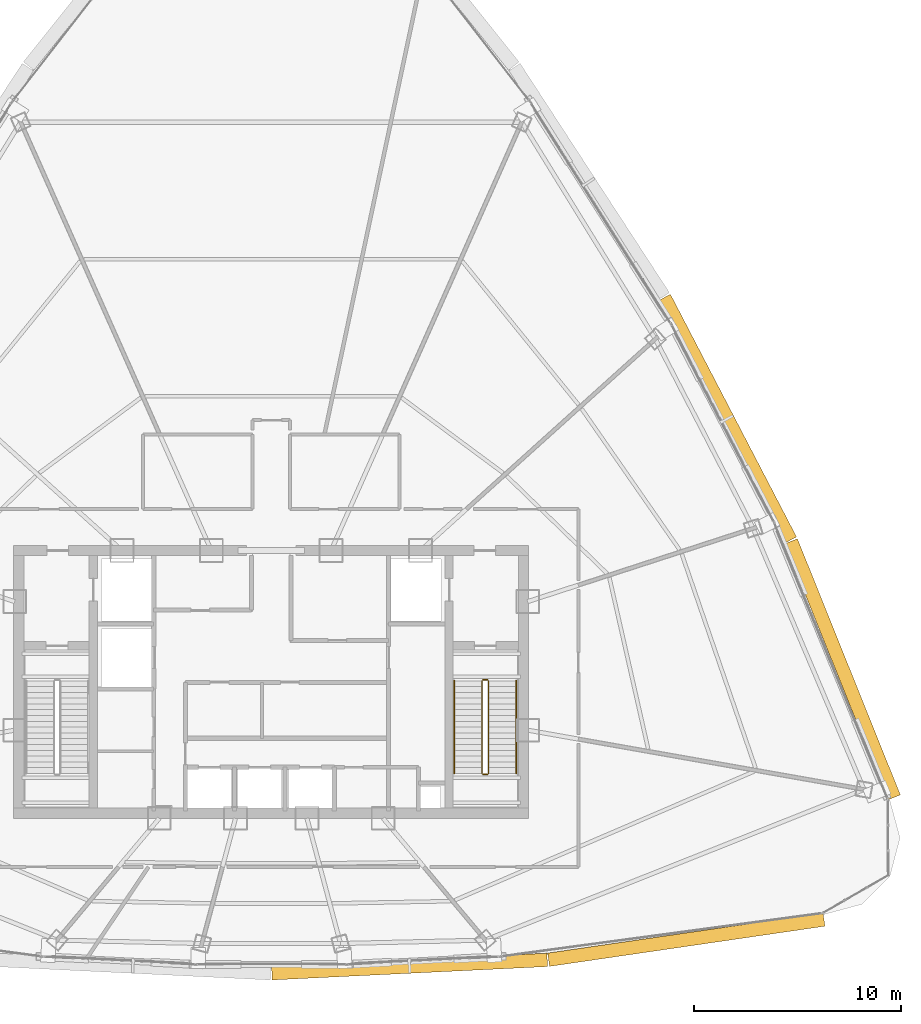
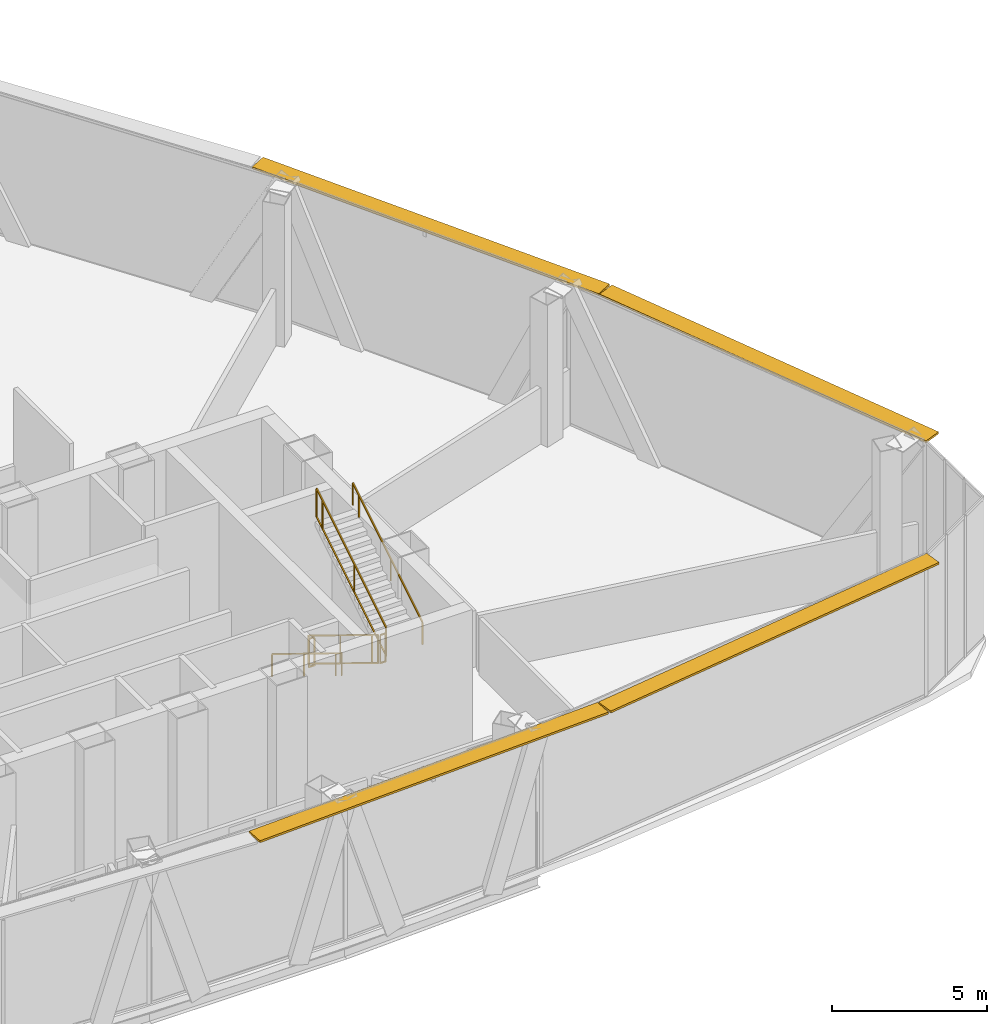
# One storey, part 32 of 33: 6 railings, 4 shading devices.
"""IFC4 building model written with IfcOpenShell, lengths in metres."""

from ifc_helpers import new_model, si_unit, direction, frame, origin, origin_2d, place, context, subcontext, project, spatial, rectangle, extrude, source, transform, mapped, material, layer, layer_set, type_object, element, save


model = new_model("IFC4")

# Units and contexts
model_context = context("Model", 3, precision=1e-05, world=origin(), true_north=direction((0.0, 1.0)))
body_context = subcontext(model_context, "Body", "Model", "MODEL_VIEW")
ifc_project = project(units=[si_unit("LENGTHUNIT", "METRE"), si_unit("AREAUNIT", "SQUARE_METRE"), si_unit("VOLUMEUNIT", "CUBIC_METRE"), si_unit("PLANEANGLEUNIT", "RADIAN"), si_unit("MASSUNIT", "GRAM", prefix="KILO"), si_unit("THERMODYNAMICTEMPERATUREUNIT", "KELVIN"), si_unit("POWERUNIT", "WATT")], contexts=[model_context])

# Site, building, storey
site_placement = place(None, origin())
site = spatial("IfcSite", under=ifc_project, at=site_placement, CompositionType="ELEMENT")
building_placement = place(site_placement, origin())
building = spatial("IfcBuilding", under=site, at=building_placement, Name="Yunzhuo Pagoda Commons", CompositionType="ELEMENT")
storey_placement = place(building_placement, frame((0.0, 0.0, 314.860107421875)))
storey = spatial("IfcBuildingStorey", under=building, at=storey_placement, Name="L79", CompositionType="ELEMENT", Elevation=314.860107421875)

# Railings
ifc_material = material(Name="Anodized aluminium 6063-T6", Category="aluminium")
railing_type_1 = type_object("IfcRailingType", Name="GR-ST2 Stair Well Guardrail 1160", PredefinedType="GUARDRAIL", material=ifc_material)
railing_1_placement = place(storey_placement, frame((58.199951171875, 33.89990234375, 0.171875)))
element("IfcRailing", 1, at=railing_1_placement, inside=storey, type_object=railing_type_1, Name="L79 ST2 stair guard 1", PredefinedType="GUARDRAIL", context=body_context, shape_type="SweptSolid", body=[
    extrude(rectangle(XDim=0.048095703125, YDim=0.048095703125, at=origin_2d()), frame((0.0, 0.0, 1.1259765625), z_axis=(0.0, -0.851996104429, 0.523548123899), x_axis=(1.0, 0.0, 0.0)), (0.0, 0.0, 1.0), 5.25830078125),
    extrude(rectangle(XDim=0.048095703125, YDim=0.048095703125, at=origin_2d()), frame((0.0, 0.0, 0.02392578125), z_axis=(0.0, -0.851996104429, 0.523548123899), x_axis=(1.0, 0.0, 0.0)), (0.0, 0.0, 1.0), 5.25830078125),
    extrude(rectangle(XDim=0.0419921875, YDim=0.0419921875, at=origin_2d()), origin(), (0.0, 0.0, 1.0), 1.101806640625),
    extrude(rectangle(XDim=0.0419921875, YDim=0.0419921875, at=origin_2d()), frame((0.0, -2.044677734375, 1.256591796875)), (0.0, 0.0, 1.0), 1.101806640625),
    extrude(rectangle(XDim=0.0419921875, YDim=0.0419921875, at=origin_2d()), frame((0.0, -4.089599609375, 2.512939453125)), (0.0, 0.0, 1.0), 1.101806640625),
    extrude(rectangle(XDim=0.0419921875, YDim=0.0419921875, at=origin_2d()), frame((0.0, -4.47998046875, 2.7529296875)), (0.0, 0.0, 1.0), 1.101806640625),
])
railing_2_placement = place(storey_placement, frame((58.25, 29.3701171875, 2.9248046875)))
element("IfcRailing", 2, at=railing_2_placement, inside=storey, type_object=railing_type_1, Name="L79 ST2 stair guard 2", PredefinedType="GUARDRAIL", context=body_context, shape_type="SweptSolid", body=[
    extrude(rectangle(XDim=0.048095703125, YDim=0.048095703125, at=origin_2d()), frame((0.0, 0.0, 1.1259765625), z_axis=(1.0, 0.0, 0.0), x_axis=(0.0, 1.0, 0.0)), (0.0, 0.0, 1.0), 0.199951171875),
    extrude(rectangle(XDim=0.048095703125, YDim=0.048095703125, at=origin_2d()), frame((0.0, 0.0, 0.02392578125), z_axis=(1.0, 0.0, 0.0), x_axis=(0.0, 1.0, 0.0)), (0.0, 0.0, 1.0), 0.199951171875),
    extrude(rectangle(XDim=0.0419921875, YDim=0.0419921875, at=origin_2d()), origin(), (0.0, 0.0, 1.0), 1.101806640625),
    extrude(rectangle(XDim=0.0419921875, YDim=0.0419921875, at=origin_2d()), frame((0.199951171875, 0.0, 0.0)), (0.0, 0.0, 1.0), 1.101806640625),
])
railing_3_placement = place(storey_placement, frame((58.5, 29.419921875, 3.096923828125)))
element("IfcRailing", 3, at=railing_3_placement, inside=storey, type_object=railing_type_1, Name="L79 ST2 stair guard 3", PredefinedType="GUARDRAIL", context=body_context, shape_type="SweptSolid", body=[
    extrude(rectangle(XDim=0.048095703125, YDim=0.048095703125, at=origin_2d()), frame((0.0, 0.0, 1.1259765625), z_axis=(0.0, 0.851996104429, 0.523548123899), x_axis=(-1.0, 0.0, 0.0)), (0.0, 0.0, 1.0), 5.25830078125),
    extrude(rectangle(XDim=0.048095703125, YDim=0.048095703125, at=origin_2d()), frame((0.0, 0.0, 0.02392578125), z_axis=(0.0, 0.851996104429, 0.523548123899), x_axis=(-1.0, 0.0, 0.0)), (0.0, 0.0, 1.0), 5.25830078125),
    extrude(rectangle(XDim=0.0419921875, YDim=0.0419921875, at=origin_2d()), origin(), (0.0, 0.0, 1.0), 1.101806640625),
    extrude(rectangle(XDim=0.0419921875, YDim=0.0419921875, at=origin_2d()), frame((0.0, 2.044677734375, 1.256591796875)), (0.0, 0.0, 1.0), 1.101806640625),
    extrude(rectangle(XDim=0.0419921875, YDim=0.0419921875, at=origin_2d()), frame((0.0, 4.089599609375, 2.512939453125)), (0.0, 0.0, 1.0), 1.101806640625),
    extrude(rectangle(XDim=0.0419921875, YDim=0.0419921875, at=origin_2d()), frame((0.0, 4.47998046875, 2.7529296875)), (0.0, 0.0, 1.0), 1.101806640625),
])
railing_4_placement = place(storey_placement, frame((58.25, 33.949951171875, 0.0)))
element("IfcRailing", 4, at=railing_4_placement, inside=storey, type_object=railing_type_1, Name="L79 ST2 stair guard 4", PredefinedType="GUARDRAIL", context=body_context, shape_type="SweptSolid", body=[
    extrude(rectangle(XDim=0.048095703125, YDim=0.048095703125, at=origin_2d()), frame((0.0, 0.0, 1.1259765625), z_axis=(1.0, 0.0, 0.0), x_axis=(0.0, 1.0, 0.0)), (0.0, 0.0, 1.0), 0.199951171875),
    extrude(rectangle(XDim=0.048095703125, YDim=0.048095703125, at=origin_2d()), frame((0.0, 0.0, 0.02392578125), z_axis=(1.0, 0.0, 0.0), x_axis=(0.0, 1.0, 0.0)), (0.0, 0.0, 1.0), 0.199951171875),
    extrude(rectangle(XDim=0.0419921875, YDim=0.0419921875, at=origin_2d()), origin(), (0.0, 0.0, 1.0), 1.101806640625),
    extrude(rectangle(XDim=0.0419921875, YDim=0.0419921875, at=origin_2d()), frame((0.199951171875, 0.0, 0.0)), (0.0, 0.0, 1.0), 1.101806640625),
])
railing_type_2 = type_object("IfcRailingType", Name="HR-ST2 Stair Handrail 900", PredefinedType="HANDRAIL", material=ifc_material)
railing_5_placement = place(storey_placement, frame((56.85009765625, 33.89990234375, 0.171875)))
element("IfcRailing", 5, at=railing_5_placement, inside=storey, type_object=railing_type_2, Name="L79 ST2 stair handrail 1", PredefinedType="HANDRAIL", context=body_context, shape_type="SweptSolid", body=[
    extrude(rectangle(XDim=0.048095703125, YDim=0.048095703125, at=origin_2d()), frame((0.0, 0.0, 0.8759765625), z_axis=(0.0, -0.851996104429, 0.523548123899), x_axis=(1.0, 0.0, 0.0)), (0.0, 0.0, 1.0), 5.25830078125),
    extrude(rectangle(XDim=0.0419921875, YDim=0.0419921875, at=origin_2d()), origin(), (0.0, 0.0, 1.0), 0.851806640625),
    extrude(rectangle(XDim=0.0419921875, YDim=0.0419921875, at=origin_2d()), frame((0.0, -2.044677734375, 1.256591796875)), (0.0, 0.0, 1.0), 0.851806640625),
    extrude(rectangle(XDim=0.0419921875, YDim=0.0419921875, at=origin_2d()), frame((0.0, -4.089599609375, 2.512939453125)), (0.0, 0.0, 1.0), 0.851806640625),
    extrude(rectangle(XDim=0.0419921875, YDim=0.0419921875, at=origin_2d()), frame((0.0, -4.47998046875, 2.7529296875)), (0.0, 0.0, 1.0), 0.851806640625),
])
railing_6_placement = place(storey_placement, frame((59.85009765625, 29.419921875, 3.096923828125)))
element("IfcRailing", 6, at=railing_6_placement, inside=storey, type_object=railing_type_2, Name="L79 ST2 stair handrail 2", PredefinedType="HANDRAIL", context=body_context, shape_type="SweptSolid", body=[
    extrude(rectangle(XDim=0.048095703125, YDim=0.048095703125, at=origin_2d()), frame((0.0, 0.0, 0.8759765625), z_axis=(0.0, 0.851996104429, 0.523548123899), x_axis=(-1.0, 0.0, 0.0)), (0.0, 0.0, 1.0), 5.25830078125),
    extrude(rectangle(XDim=0.0419921875, YDim=0.0419921875, at=origin_2d()), origin(), (0.0, 0.0, 1.0), 0.851806640625),
    extrude(rectangle(XDim=0.0419921875, YDim=0.0419921875, at=origin_2d()), frame((0.0, 2.044677734375, 1.256591796875)), (0.0, 0.0, 1.0), 0.851806640625),
    extrude(rectangle(XDim=0.0419921875, YDim=0.0419921875, at=origin_2d()), frame((0.0, 4.089599609375, 2.512939453125)), (0.0, 0.0, 1.0), 0.851806640625),
    extrude(rectangle(XDim=0.0419921875, YDim=0.0419921875, at=origin_2d()), frame((0.0, 4.47998046875, 2.7529296875)), (0.0, 0.0, 1.0), 0.851806640625),
])

# Shading devices
ifc_layer = layer(ifc_material, 0.080078125)
ifc_layer_set = layer_set([ifc_layer], Name="Anodized aluminium 6063-T6")
shading_device_type = type_object("IfcShadingDeviceType", Name="SH-SUN1 Pagoda Horizontal Sunshade Eave 650", PredefinedType="USERDEFINED", material=ifc_layer_set)
shared_shape_1 = source(origin(), body_context, "Body", "SweptSolid", [
    extrude(rectangle(XDim=13.33251953125, YDim=0.64990234375, at=origin_2d()), origin(), (0.0, 0.0, 1.0), 0.080078125),
])
shading_device_1_placement = place(storey_placement, frame((54.68994140625, 20.081298828125, 5.48974609375), z_axis=(0.0, 0.0, 1.0), x_axis=(0.998818043775, 0.04860571396, 0.0)))
element("IfcShadingDevice", 7, at=shading_device_1_placement, inside=storey, type_object=shading_device_type, Name="L79 horizontal pagoda sunshade eave F1.3", ObjectType="SUNSHADE", PredefinedType="USERDEFINED", context=body_context, shape_type="MappedRepresentation", body=[
    mapped(shared_shape_1, transform((0.0, 0.0, 0.0), scale=1.0)),
])
shared_shape_2 = source(origin(), body_context, "Body", "SweptSolid", [
    extrude(rectangle(XDim=13.45849609375, YDim=0.64990234375, at=origin_2d()), origin(), (0.0, 0.0, 1.0), 0.080078125),
])
shading_device_2_placement = place(storey_placement, frame((68.06982421875, 21.38330078125, 5.48974609375), z_axis=(0.0, 0.0, 1.0), x_axis=(0.989510666697, 0.144459823108, 0.0)))
element("IfcShadingDevice", 8, at=shading_device_2_placement, inside=storey, type_object=shading_device_type, Name="L79 horizontal pagoda sunshade eave F1.4", ObjectType="SUNSHADE", PredefinedType="USERDEFINED", context=body_context, shape_type="MappedRepresentation", body=[
    mapped(shared_shape_2, transform((0.0, 0.0, 0.0), scale=1.0)),
])
shared_shape_3 = source(origin(), body_context, "Body", "SweptSolid", [
    extrude(rectangle(XDim=13.35009765625, YDim=0.64990234375, at=origin_2d()), origin(), (0.0, 0.0, 1.0), 0.080078125),
])
shading_device_3_placement = place(storey_placement, frame((75.629638671875, 34.454345703125, 5.48974609375), z_axis=(0.0, 0.0, 1.0), x_axis=(-0.372987782576, 0.927836253899, 0.0)))
element("IfcShadingDevice", 9, at=shading_device_3_placement, inside=storey, type_object=shading_device_type, Name="L79 horizontal pagoda sunshade eave F2.1", ObjectType="SUNSHADE", PredefinedType="USERDEFINED", context=body_context, shape_type="MappedRepresentation", body=[
    mapped(shared_shape_3, transform((0.0, 0.0, 0.0), scale=1.0)),
])
shared_shape_4 = source(origin(), body_context, "Body", "SweptSolid", [
    extrude(rectangle(XDim=13.223388671875, YDim=0.64990234375, at=origin_2d()), origin(), (0.0, 0.0, 1.0), 0.080078125),
])
shading_device_4_placement = place(storey_placement, frame((70.064208984375, 46.571533203125, 5.48974609375), z_axis=(0.0, 0.0, 1.0), x_axis=(-0.461206683033, 0.88729273384, 0.0)))
element("IfcShadingDevice", 10, at=shading_device_4_placement, inside=storey, type_object=shading_device_type, Name="L79 horizontal pagoda sunshade eave F2.2", ObjectType="SUNSHADE", PredefinedType="USERDEFINED", context=body_context, shape_type="MappedRepresentation", body=[
    mapped(shared_shape_4, transform((0.0, 0.0, 0.0), scale=1.0)),
])

save(model, "model.ifc")
